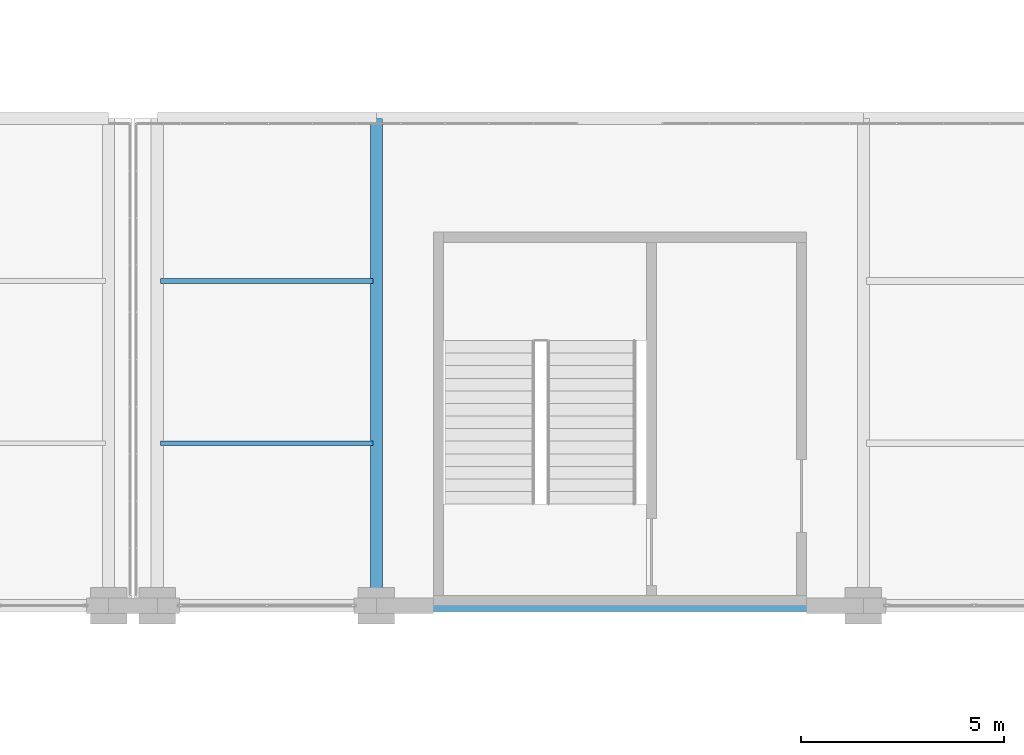
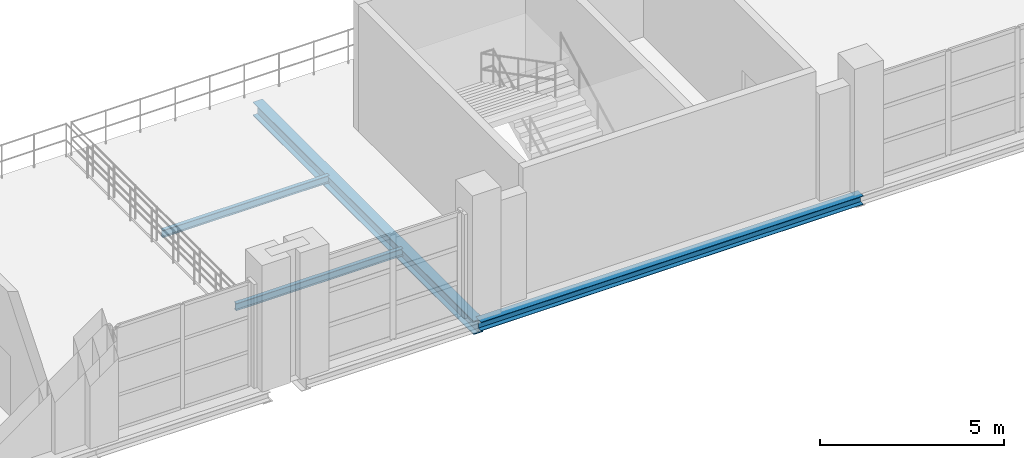
# One storey, part 97 of 158: 4 beams.
"""IFC4 building model written with IfcOpenShell, lengths in metres."""

from ifc_helpers import new_model, si_unit, direction, frame, origin, origin_2d, place, context, subcontext, project, spatial, i_section, extrude, material, material_profile, profile_set, type_object, element, save


model = new_model("IFC4")

# Units and contexts
model_context = context("Model", 3, precision=1e-05, world=origin(), true_north=direction((0.0, 1.0)))
body_context = subcontext(model_context, "Body", "Model", "MODEL_VIEW")
ifc_project = project(units=[si_unit("LENGTHUNIT", "METRE"), si_unit("AREAUNIT", "SQUARE_METRE"), si_unit("VOLUMEUNIT", "CUBIC_METRE"), si_unit("PLANEANGLEUNIT", "RADIAN"), si_unit("MASSUNIT", "GRAM", prefix="KILO")], contexts=[model_context])

# Site, building, storey
site_placement = place(None, origin())
site = spatial("IfcSite", under=ifc_project, at=site_placement, CompositionType="ELEMENT")
building_placement = place(site_placement, origin())
building = spatial("IfcBuilding", under=site, at=building_placement, Name="Zilviju Railside Exhibition Hall", CompositionType="ELEMENT")
storey_placement = place(building_placement, frame((0.0, 0.0, 4.199951171875)))
storey = spatial("IfcBuildingStorey", under=building, at=storey_placement, Name="L02", CompositionType="ELEMENT", Elevation=4.199951171875)

# Beams
ifc_material = material(Name="Steel S355J2", Category="steel")
ifc_material_profile_1 = material_profile(ifc_material, i_section(OverallWidth=0.300048828125, OverallDepth=0.2900390625, WebThickness=0.008544921875, FlangeThickness=0.013916015625, at=origin_2d()), Name="HEA 300")
ifc_profile_set_1 = profile_set([ifc_material_profile_1], Name="Steel S355J2")
beam_type_1 = type_object("IfcBeamType", Name="BM-HEA300", PredefinedType="SPANDREL", material=ifc_profile_set_1)
beam_1_placement = place(storey_placement, frame((132.0, 84.0, -0.474853515625), z_axis=(1.0, 0.0, 0.0), x_axis=(0.0, 1.0, 0.0)))
element("IfcBeam", 1, at=beam_1_placement, inside=storey, type_object=beam_type_1, Name="Primary Girder L02 Y=84.0 (132.0..144.0)", PredefinedType="SPANDREL", context=body_context, shape_type="SweptSolid", body=[
    extrude(i_section(OverallWidth=0.300048828125, OverallDepth=0.2900390625, WebThickness=0.008544921875, FlangeThickness=0.013916015625, at=origin_2d()), origin(), (0.0, 0.0, 1.0), 12.0),
])
ifc_material_profile_2 = material_profile(ifc_material, i_section(OverallWidth=0.300048828125, OverallDepth=0.449951171875, WebThickness=0.013916015625, FlangeThickness=0.02587890625, at=origin_2d()), Name="HEB 450")
ifc_profile_set_2 = profile_set([ifc_material_profile_2], Name="Steel S355J2")
beam_type_2 = type_object("IfcBeamType", Name="BM-HEB450", PredefinedType="BEAM", material=ifc_profile_set_2)
beam_2_placement = place(storey_placement, frame((132.0, 84.0, -0.554931640625), z_axis=(0.0, 1.0, 0.0), x_axis=(-1.0, 0.0, 0.0)))
element("IfcBeam", 2, at=beam_2_placement, inside=storey, type_object=beam_type_2, Name="Transverse Girder L02 X=132.0 (84.0..96.0)", PredefinedType="BEAM", context=body_context, shape_type="SweptSolid", body=[
    extrude(i_section(OverallWidth=0.300048828125, OverallDepth=0.449951171875, WebThickness=0.013916015625, FlangeThickness=0.02587890625, at=origin_2d()), origin(), (0.0, 0.0, 1.0), 12.0),
])
ifc_material_profile_3 = material_profile(ifc_material, i_section(OverallWidth=0.1201171875, OverallDepth=0.239990234375, WebThickness=0.006103515625, FlangeThickness=0.009765625, at=origin_2d()), Name="IPE 240")
ifc_profile_set_3 = profile_set([ifc_material_profile_3], Name="Steel S355J2")
beam_type_3 = type_object("IfcBeamType", Name="BM-IPE240", PredefinedType="JOIST", material=ifc_profile_set_3)
for number, where, z_axis, x_axis, name in (
    (3, (126.679931640625, 88.0, -0.449951171875), (1.0, 0.0, 0.0), (0.0, 1.0, 0.0), "Composite Floor Joist L02 Y=88.00 (126.6..132.0)"),
    (4, (126.679931640625, 92.0, -0.449951171875), (1.0, 0.0, 0.0), (0.0, 1.0, 0.0), "Composite Floor Joist L02 Y=92.00 (126.6..132.0)"),
):
    element("IfcBeam", number, at=place(storey_placement, frame(where, z_axis=z_axis, x_axis=x_axis)), inside=storey, type_object=beam_type_3, Name=name, PredefinedType="JOIST", context=body_context, shape_type="SweptSolid", body=[
        extrude(i_section(OverallWidth=0.1201171875, OverallDepth=0.239990234375, WebThickness=0.006103515625, FlangeThickness=0.009765625, at=origin_2d()), origin(), (0.0, 0.0, 1.0), 5.239990234375),
    ])

save(model, "model.ifc")
